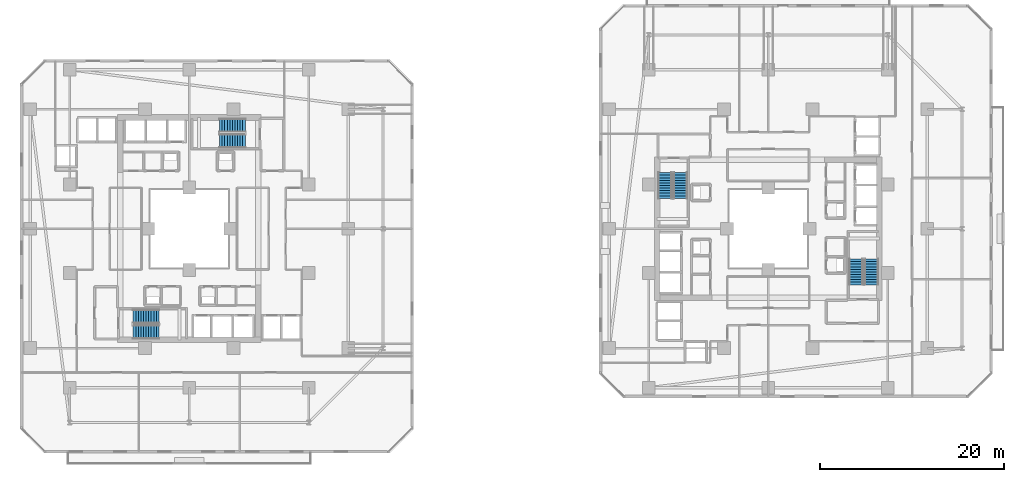
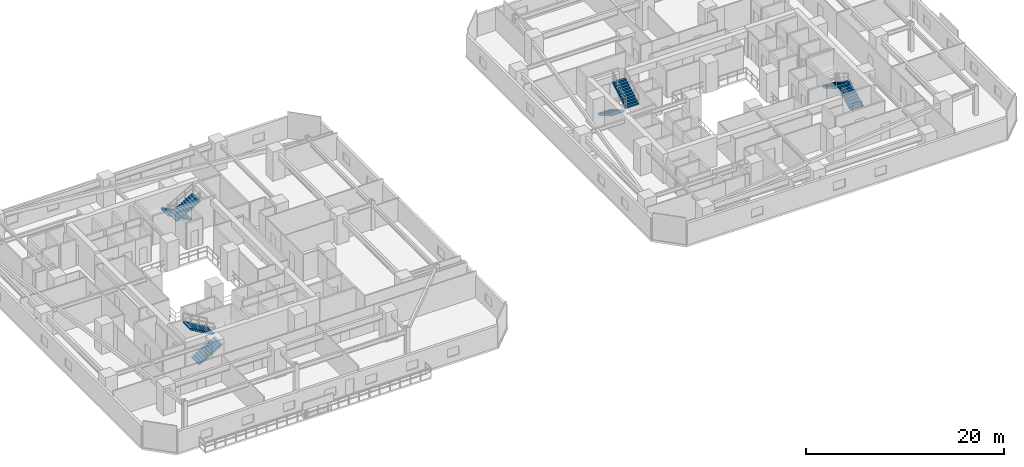
# One storey, part 29 of 36: 8 stair flights, 4 elements without a shape of their own.
"""IFC4 building model written with IfcOpenShell, lengths in metres."""

from ifc_helpers import new_model, si_unit, direction, frame, origin, place, context, subcontext, project, spatial, polyline, outline, extrude, material, type_object, element, aggregate, save


model = new_model("IFC4")

# Units and contexts
model_context = context("Model", 3, precision=1e-05, world=origin(), true_north=direction((0.0, 1.0)))
body_context = subcontext(model_context, "Body", "Model", "MODEL_VIEW")
ifc_project = project(units=[si_unit("LENGTHUNIT", "METRE"), si_unit("AREAUNIT", "SQUARE_METRE"), si_unit("VOLUMEUNIT", "CUBIC_METRE"), si_unit("PLANEANGLEUNIT", "RADIAN"), si_unit("MASSUNIT", "GRAM", prefix="KILO")], contexts=[model_context])

# Site, building, storey
site_placement = place(None, origin())
site = spatial("IfcSite", under=ifc_project, at=site_placement, CompositionType="ELEMENT")
building_placement = place(site_placement, origin())
building = spatial("IfcBuilding", under=site, at=building_placement, Name="Thornwick Lancets Civic Towers", CompositionType="ELEMENT")
storey_placement = place(building_placement, frame((0.0, 0.0, 68.10009765625)))
storey = spatial("IfcBuildingStorey", under=building, at=storey_placement, Name="L17", CompositionType="ELEMENT", Elevation=68.10009765625)

# Stair, stair flights
ifc_material = material(Name="Concrete C40/50", Category="concrete")
stair_type = type_object("IfcStairType", Name="STAIR_DL_3600", PredefinedType="HALF_TURN_STAIR", material=ifc_material)
stair_1_placement = place(storey_placement, origin())
stair_1 = element("IfcStair", 1, at=stair_1_placement, inside=storey, type_object=stair_type, Name="L17 Tower A South Exit Stair ST-A1", PredefinedType="HALF_TURN_STAIR")
stair_flight_type = type_object("IfcStairFlightType", Name="FLIGHT_3600", PredefinedType="STRAIGHT", material=ifc_material)
stair_flight_1_placement = place(storey_placement, frame((19.39990234375, 15.75, 0.0), z_axis=(0.0, 0.0, 1.0), x_axis=(1.0, 0.0, 0.0)))
stair_flight_1 = element("IfcStairFlight", 2, at=stair_flight_1_placement, type_object=stair_flight_type, Name="ST-A1 flight 1", NumberOfRisers=11, NumberOfTreads=10, PredefinedType="STRAIGHT", RiserHeight=0.163636364, TreadLength=0.28, context=body_context, shape_type="SweptSolid", body=[
    extrude(outline(polyline([(0.0, 0.0), (0.0, 0.16357421875), (0.280029296875, 0.16357421875), (0.280029296875, 0.327392578125), (0.56005859375, 0.327392578125), (0.56005859375, 0.490966796875), (0.840087890625, 0.490966796875), (0.840087890625, 0.654541015625), (1.1201171875, 0.654541015625), (1.1201171875, 0.818115234375), (1.39990234375, 0.818115234375), (1.39990234375, 0.98193359375), (1.679931640625, 0.98193359375), (1.679931640625, 1.1455078125), (1.9599609375, 1.1455078125), (1.9599609375, 1.30908203125), (2.239990234375, 1.30908203125), (2.239990234375, 1.47265625), (2.52001953125, 1.47265625), (2.52001953125, 1.636474609375), (2.800048828125, 1.636474609375), (2.800048828125, 1.800048828125), (2.800048828125, 1.462646484375), (0.297119140625, 0.0), (0.0, 0.0)])), frame((0.0, 0.75, 0.0), z_axis=(0.0, -1.0, 0.0), x_axis=(1.0, 0.0, 0.0)), (0.0, 0.0, 1.0), 1.5),
])
stair_flight_2_placement = place(storey_placement, frame((22.199951171875, 17.449951171875, 1.7998046875), z_axis=(0.0, 0.0, 1.0), x_axis=(-1.0, 0.0, 0.0)))
stair_flight_2 = element("IfcStairFlight", 3, at=stair_flight_2_placement, type_object=stair_flight_type, Name="ST-A1 flight 2", NumberOfRisers=11, NumberOfTreads=10, PredefinedType="STRAIGHT", RiserHeight=0.163636364, TreadLength=0.28, context=body_context, shape_type="SweptSolid", body=[
    extrude(outline(polyline([(0.0, 0.0), (0.0, 0.16357421875), (0.280029296875, 0.16357421875), (0.280029296875, 0.327392578125), (0.56005859375, 0.327392578125), (0.56005859375, 0.490966796875), (0.840087890625, 0.490966796875), (0.840087890625, 0.654541015625), (1.1201171875, 0.654541015625), (1.1201171875, 0.818115234375), (1.39990234375, 0.818115234375), (1.39990234375, 0.98193359375), (1.679931640625, 0.98193359375), (1.679931640625, 1.1455078125), (1.9599609375, 1.1455078125), (1.9599609375, 1.30908203125), (2.239990234375, 1.30908203125), (2.239990234375, 1.47265625), (2.52001953125, 1.47265625), (2.52001953125, 1.636474609375), (2.800048828125, 1.636474609375), (2.800048828125, 1.800048828125), (2.800048828125, 1.462646484375), (0.297119140625, 0.0), (0.0, 0.0)])), frame((0.0, 0.75, 0.0), z_axis=(0.0, -1.0, 0.0), x_axis=(1.0, 0.0, 0.0)), (0.0, 0.0, 1.0), 1.5),
])
aggregate(stair_1, [stair_flight_1, stair_flight_2])

stair_2_placement = place(storey_placement, origin())
stair_2 = element("IfcStair", 4, at=stair_2_placement, inside=storey, type_object=stair_type, Name="L17 Tower A North Exit Stair ST-A2", PredefinedType="HALF_TURN_STAIR")
stair_flight_3_placement = place(storey_placement, frame((31.60009765625, 38.25, 0.0), z_axis=(0.0, 0.0, 1.0), x_axis=(-1.0, 0.0, 0.0)))
stair_flight_3 = element("IfcStairFlight", 5, at=stair_flight_3_placement, type_object=stair_flight_type, Name="ST-A2 flight 1", NumberOfRisers=11, NumberOfTreads=10, PredefinedType="STRAIGHT", RiserHeight=0.163636364, TreadLength=0.28, context=body_context, shape_type="SweptSolid", body=[
    extrude(outline(polyline([(0.0, 0.0), (0.0, 0.16357421875), (0.280029296875, 0.16357421875), (0.280029296875, 0.327392578125), (0.56005859375, 0.327392578125), (0.56005859375, 0.490966796875), (0.840087890625, 0.490966796875), (0.840087890625, 0.654541015625), (1.1201171875, 0.654541015625), (1.1201171875, 0.818115234375), (1.39990234375, 0.818115234375), (1.39990234375, 0.98193359375), (1.679931640625, 0.98193359375), (1.679931640625, 1.1455078125), (1.9599609375, 1.1455078125), (1.9599609375, 1.30908203125), (2.239990234375, 1.30908203125), (2.239990234375, 1.47265625), (2.52001953125, 1.47265625), (2.52001953125, 1.636474609375), (2.800048828125, 1.636474609375), (2.800048828125, 1.800048828125), (2.800048828125, 1.462646484375), (0.297119140625, 0.0), (0.0, 0.0)])), frame((0.0, 0.75, 0.0), z_axis=(0.0, -1.0, 0.0), x_axis=(1.0, 0.0, 0.0)), (0.0, 0.0, 1.0), 1.5),
])
stair_flight_4_placement = place(storey_placement, frame((28.800048828125, 36.550048828125, 1.7998046875), z_axis=(0.0, 0.0, 1.0), x_axis=(1.0, 0.0, 0.0)))
stair_flight_4 = element("IfcStairFlight", 6, at=stair_flight_4_placement, type_object=stair_flight_type, Name="ST-A2 flight 2", NumberOfRisers=11, NumberOfTreads=10, PredefinedType="STRAIGHT", RiserHeight=0.163636364, TreadLength=0.28, context=body_context, shape_type="SweptSolid", body=[
    extrude(outline(polyline([(0.0, 0.0), (0.0, 0.16357421875), (0.280029296875, 0.16357421875), (0.280029296875, 0.327392578125), (0.56005859375, 0.327392578125), (0.56005859375, 0.490966796875), (0.840087890625, 0.490966796875), (0.840087890625, 0.654541015625), (1.1201171875, 0.654541015625), (1.1201171875, 0.818115234375), (1.39990234375, 0.818115234375), (1.39990234375, 0.98193359375), (1.679931640625, 0.98193359375), (1.679931640625, 1.1455078125), (1.9599609375, 1.1455078125), (1.9599609375, 1.30908203125), (2.239990234375, 1.30908203125), (2.239990234375, 1.47265625), (2.52001953125, 1.47265625), (2.52001953125, 1.636474609375), (2.800048828125, 1.636474609375), (2.800048828125, 1.800048828125), (2.800048828125, 1.462646484375), (0.297119140625, 0.0), (0.0, 0.0)])), frame((0.0, 0.75, 0.0), z_axis=(0.0, -1.0, 0.0), x_axis=(1.0, 0.0, 0.0)), (0.0, 0.0, 1.0), 1.5),
])
aggregate(stair_2, [stair_flight_3, stair_flight_4])

stair_3_placement = place(storey_placement, origin())
stair_3 = element("IfcStair", 7, at=stair_3_placement, inside=storey, type_object=stair_type, Name="L17 Tower B East Exit Stair ST-B1", PredefinedType="HALF_TURN_STAIR")
stair_flight_5_placement = place(storey_placement, frame((99.75, 20.89990234375, 0.0), z_axis=(0.0, 0.0, 1.0), x_axis=(0.0, 1.0, 0.0)))
stair_flight_5 = element("IfcStairFlight", 8, at=stair_flight_5_placement, type_object=stair_flight_type, Name="ST-B1 flight 1", NumberOfRisers=11, NumberOfTreads=10, PredefinedType="STRAIGHT", RiserHeight=0.163636364, TreadLength=0.28, context=body_context, shape_type="SweptSolid", body=[
    extrude(outline(polyline([(0.0, 0.0), (0.0, 0.16357421875), (0.280029296875, 0.16357421875), (0.280029296875, 0.327392578125), (0.56005859375, 0.327392578125), (0.56005859375, 0.490966796875), (0.840087890625, 0.490966796875), (0.840087890625, 0.654541015625), (1.1201171875, 0.654541015625), (1.1201171875, 0.818115234375), (1.39990234375, 0.818115234375), (1.39990234375, 0.98193359375), (1.679931640625, 0.98193359375), (1.679931640625, 1.1455078125), (1.9599609375, 1.1455078125), (1.9599609375, 1.30908203125), (2.239990234375, 1.30908203125), (2.239990234375, 1.47265625), (2.52001953125, 1.47265625), (2.52001953125, 1.636474609375), (2.800048828125, 1.636474609375), (2.800048828125, 1.800048828125), (2.800048828125, 1.462646484375), (0.297119140625, 0.0), (0.0, 0.0)])), frame((0.0, 0.75, 0.0), z_axis=(0.0, -1.0, 0.0), x_axis=(1.0, 0.0, 0.0)), (0.0, 0.0, 1.0), 1.5),
])
stair_flight_6_placement = place(storey_placement, frame((98.050048828125, 23.699951171875, 1.7998046875), z_axis=(0.0, 0.0, 1.0), x_axis=(0.0, -1.0, 0.0)))
stair_flight_6 = element("IfcStairFlight", 9, at=stair_flight_6_placement, type_object=stair_flight_type, Name="ST-B1 flight 2", NumberOfRisers=11, NumberOfTreads=10, PredefinedType="STRAIGHT", RiserHeight=0.163636364, TreadLength=0.28, context=body_context, shape_type="SweptSolid", body=[
    extrude(outline(polyline([(0.0, 0.0), (0.0, 0.16357421875), (0.280029296875, 0.16357421875), (0.280029296875, 0.327392578125), (0.56005859375, 0.327392578125), (0.56005859375, 0.490966796875), (0.840087890625, 0.490966796875), (0.840087890625, 0.654541015625), (1.1201171875, 0.654541015625), (1.1201171875, 0.818115234375), (1.39990234375, 0.818115234375), (1.39990234375, 0.98193359375), (1.679931640625, 0.98193359375), (1.679931640625, 1.1455078125), (1.9599609375, 1.1455078125), (1.9599609375, 1.30908203125), (2.239990234375, 1.30908203125), (2.239990234375, 1.47265625), (2.52001953125, 1.47265625), (2.52001953125, 1.636474609375), (2.800048828125, 1.636474609375), (2.800048828125, 1.800048828125), (2.800048828125, 1.462646484375), (0.297119140625, 0.0), (0.0, 0.0)])), frame((0.0, 0.75, 0.0), z_axis=(0.0, -1.0, 0.0), x_axis=(1.0, 0.0, 0.0)), (0.0, 0.0, 1.0), 1.5),
])
aggregate(stair_3, [stair_flight_5, stair_flight_6])

stair_4_placement = place(storey_placement, origin())
stair_4 = element("IfcStair", 10, at=stair_4_placement, inside=storey, type_object=stair_type, Name="L17 Tower B West Exit Stair ST-B2", PredefinedType="HALF_TURN_STAIR")
stair_flight_7_placement = place(storey_placement, frame((77.25, 33.10009765625, 0.0), z_axis=(0.0, 0.0, 1.0), x_axis=(0.0, -1.0, 0.0)))
stair_flight_7 = element("IfcStairFlight", 11, at=stair_flight_7_placement, type_object=stair_flight_type, Name="ST-B2 flight 1", NumberOfRisers=11, NumberOfTreads=10, PredefinedType="STRAIGHT", RiserHeight=0.163636364, TreadLength=0.28, context=body_context, shape_type="SweptSolid", body=[
    extrude(outline(polyline([(0.0, 0.0), (0.0, 0.16357421875), (0.280029296875, 0.16357421875), (0.280029296875, 0.327392578125), (0.56005859375, 0.327392578125), (0.56005859375, 0.490966796875), (0.840087890625, 0.490966796875), (0.840087890625, 0.654541015625), (1.1201171875, 0.654541015625), (1.1201171875, 0.818115234375), (1.39990234375, 0.818115234375), (1.39990234375, 0.98193359375), (1.679931640625, 0.98193359375), (1.679931640625, 1.1455078125), (1.9599609375, 1.1455078125), (1.9599609375, 1.30908203125), (2.239990234375, 1.30908203125), (2.239990234375, 1.47265625), (2.52001953125, 1.47265625), (2.52001953125, 1.636474609375), (2.800048828125, 1.636474609375), (2.800048828125, 1.800048828125), (2.800048828125, 1.462646484375), (0.297119140625, 0.0), (0.0, 0.0)])), frame((0.0, 0.75, 0.0), z_axis=(0.0, -1.0, 0.0), x_axis=(1.0, 0.0, 0.0)), (0.0, 0.0, 1.0), 1.5),
])
stair_flight_8_placement = place(storey_placement, frame((78.949951171875, 30.300048828125, 1.7998046875), z_axis=(0.0, 0.0, 1.0), x_axis=(0.0, 1.0, 0.0)))
stair_flight_8 = element("IfcStairFlight", 12, at=stair_flight_8_placement, type_object=stair_flight_type, Name="ST-B2 flight 2", NumberOfRisers=11, NumberOfTreads=10, PredefinedType="STRAIGHT", RiserHeight=0.163636364, TreadLength=0.28, context=body_context, shape_type="SweptSolid", body=[
    extrude(outline(polyline([(0.0, 0.0), (0.0, 0.16357421875), (0.280029296875, 0.16357421875), (0.280029296875, 0.327392578125), (0.56005859375, 0.327392578125), (0.56005859375, 0.490966796875), (0.840087890625, 0.490966796875), (0.840087890625, 0.654541015625), (1.1201171875, 0.654541015625), (1.1201171875, 0.818115234375), (1.39990234375, 0.818115234375), (1.39990234375, 0.98193359375), (1.679931640625, 0.98193359375), (1.679931640625, 1.1455078125), (1.9599609375, 1.1455078125), (1.9599609375, 1.30908203125), (2.239990234375, 1.30908203125), (2.239990234375, 1.47265625), (2.52001953125, 1.47265625), (2.52001953125, 1.636474609375), (2.800048828125, 1.636474609375), (2.800048828125, 1.800048828125), (2.800048828125, 1.462646484375), (0.297119140625, 0.0), (0.0, 0.0)])), frame((0.0, 0.75, 0.0), z_axis=(0.0, -1.0, 0.0), x_axis=(1.0, 0.0, 0.0)), (0.0, 0.0, 1.0), 1.5),
])
aggregate(stair_4, [stair_flight_7, stair_flight_8])

save(model, "model.ifc")
